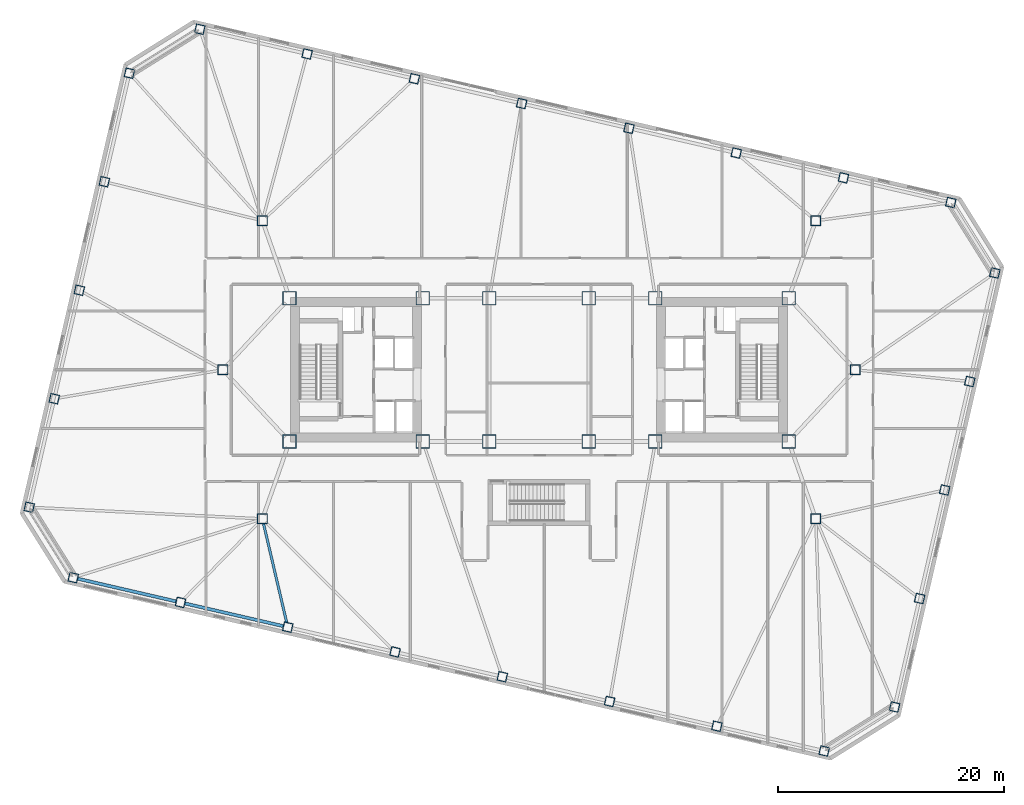
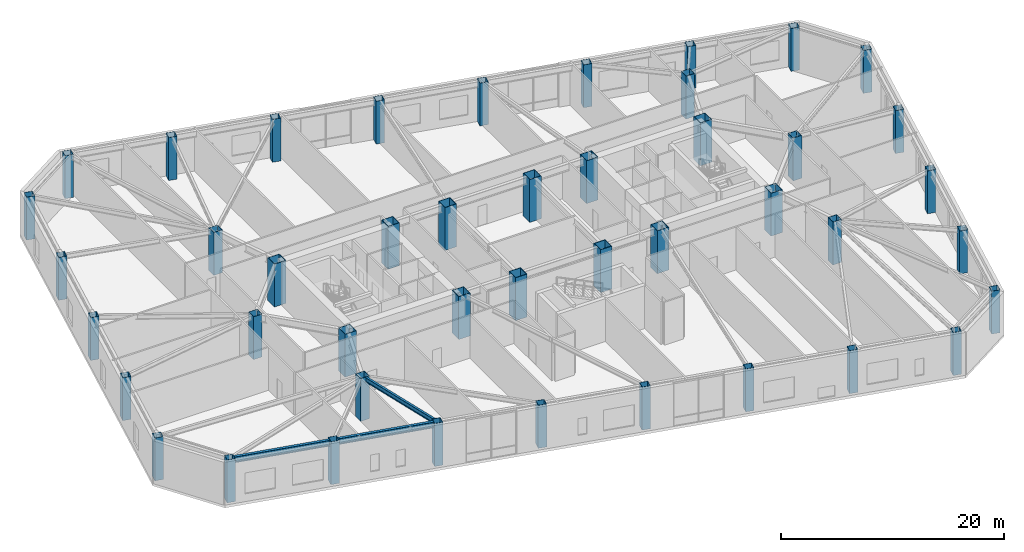
# One storey, part 1 of 20: 44 columns, 3 beams.
"""IFC4 building model written with IfcOpenShell, lengths in metres."""

from ifc_helpers import new_model, si_unit, direction, frame, origin, origin_2d, place, context, subcontext, project, spatial, hollow_rectangle, i_section, extrude, material, material_profile, profile_set, type_object, element, save


model = new_model("IFC4")

# Units and contexts
model_context = context("Model", 3, precision=1e-05, world=origin(), true_north=direction((0.0, 1.0)))
body_context = subcontext(model_context, "Body", "Model", "MODEL_VIEW")
ifc_project = project(units=[si_unit("LENGTHUNIT", "METRE"), si_unit("AREAUNIT", "SQUARE_METRE"), si_unit("VOLUMEUNIT", "CUBIC_METRE"), si_unit("PLANEANGLEUNIT", "RADIAN"), si_unit("MASSUNIT", "GRAM", prefix="KILO")], contexts=[model_context])

# Site, building, storey
site_placement = place(None, origin())
site = spatial("IfcSite", under=ifc_project, at=site_placement, CompositionType="ELEMENT")
building_placement = place(site_placement, origin())
building = spatial("IfcBuilding", under=site, at=building_placement, Name="Tavrogorsk Clinical Tower", CompositionType="ELEMENT")
storey_placement = place(building_placement, frame((0.0, 0.0, 23.39990234375)))
storey = spatial("IfcBuildingStorey", under=building, at=storey_placement, Name="L04", CompositionType="ELEMENT", Elevation=23.39990234375)

# Columns
ifc_material_1 = material(Name="Structural steel S440", Category="steel")
ifc_material_profile_1 = material_profile(ifc_material_1, hollow_rectangle(XDim=1.199951171875, YDim=1.199951171875, WallThickness=0.050048828125, at=origin_2d()), Name="BOX-1200x1200x50")
ifc_profile_set_1 = profile_set([ifc_material_profile_1], Name="Structural steel S440")
column_type_1 = type_object("IfcColumnType", Name="MegaCol_BOX1200", PredefinedType="COLUMN", material=ifc_profile_set_1)
for number, where, z_axis, x_axis, name in (
    (1, (-22.10009765625, -6.35009765625, 0.0), (0.0, 0.0, 1.0), (1.0, 0.0, 0.0), "L04 Mega Column MC-W1"),
    (2, (-22.10009765625, 6.35009765625, 0.0), (0.0, 0.0, 1.0), (1.0, 0.0, 0.0), "L04 Mega Column MC-W2"),
    (3, (-10.300048828125, -6.35009765625, 0.0), (0.0, 0.0, 1.0), (1.0, 0.0, 0.0), "L04 Mega Column MC-W3"),
    (4, (-10.300048828125, 6.35009765625, 0.0), (0.0, 0.0, 1.0), (1.0, 0.0, 0.0), "L04 Mega Column MC-W4"),
    (5, (10.300048828125, -6.35009765625, 0.0), (0.0, 0.0, 1.0), (1.0, 0.0, 0.0), "L04 Mega Column MC-E1"),
    (6, (10.300048828125, 6.35009765625, 0.0), (0.0, 0.0, 1.0), (1.0, 0.0, 0.0), "L04 Mega Column MC-E2"),
    (7, (22.10009765625, -6.35009765625, 0.0), (0.0, 0.0, 1.0), (1.0, 0.0, 0.0), "L04 Mega Column MC-E3"),
    (8, (22.10009765625, 6.35009765625, 0.0), (0.0, 0.0, 1.0), (1.0, 0.0, 0.0), "L04 Mega Column MC-E4"),
    (9, (-4.39990234375, -6.35009765625, 0.0), (0.0, 0.0, 1.0), (1.0, 0.0, 0.0), "L04 Mega Column MC-C1"),
    (10, (4.39990234375, -6.35009765625, 0.0), (0.0, 0.0, 1.0), (1.0, 0.0, 0.0), "L04 Mega Column MC-C2"),
    (11, (-4.39990234375, 6.35009765625, 0.0), (0.0, 0.0, 1.0), (1.0, 0.0, 0.0), "L04 Mega Column MC-C3"),
    (12, (4.39990234375, 6.35009765625, 0.0), (0.0, 0.0, 1.0), (1.0, 0.0, 0.0), "L04 Mega Column MC-C4"),
):
    element("IfcColumn", number, at=place(storey_placement, frame(where, z_axis=z_axis, x_axis=x_axis)), inside=storey, type_object=column_type_1, Name=name, PredefinedType="COLUMN", context=body_context, shape_type="SweptSolid", body=[
        extrude(hollow_rectangle(XDim=1.199951171875, YDim=1.199951171875, WallThickness=0.050048828125, at=origin_2d()), origin(), (0.0, 0.0, 1.0), 4.7001953125),
    ])
ifc_material_2 = material(Name="Structural steel S440", Category="steel")
ifc_material_profile_2 = material_profile(ifc_material_2, hollow_rectangle(XDim=0.89990234375, YDim=0.89990234375, WallThickness=0.0400390625, at=origin_2d()), Name="BOX-900x900x40")
ifc_profile_set_2 = profile_set([ifc_material_profile_2], Name="Structural steel S440")
column_type_2 = type_object("IfcColumnType", Name="MegaCol_BOX900", PredefinedType="COLUMN", material=ifc_profile_set_2)
for number, where, z_axis, x_axis, name in (
    (13, (-24.5, -13.199951171875, 0.0), (0.0, 0.0, 1.0), (1.0, 0.0, 0.0), "L04 Spine Pilotis Column MC-P1"),
    (14, (24.5, -13.199951171875, 0.0), (0.0, 0.0, 1.0), (1.0, 0.0, 0.0), "L04 Spine Pilotis Column MC-P2"),
    (15, (-24.5, 13.199951171875, 0.0), (0.0, 0.0, 1.0), (1.0, 0.0, 0.0), "L04 Spine Pilotis Column MC-P3"),
    (16, (24.5, 13.199951171875, 0.0), (0.0, 0.0, 1.0), (1.0, 0.0, 0.0), "L04 Spine Pilotis Column MC-P4"),
    (17, (-28.0, 0.0, 0.0), (0.0, 0.0, 1.0), (1.0, 0.0, 0.0), "L04 Spine Pilotis Column MC-P5"),
    (18, (28.0, 0.0, 0.0), (0.0, 0.0, 1.0), (1.0, 0.0, 0.0), "L04 Spine Pilotis Column MC-P6"),
):
    element("IfcColumn", number, at=place(storey_placement, frame(where, z_axis=z_axis, x_axis=x_axis)), inside=storey, type_object=column_type_2, Name=name, PredefinedType="COLUMN", context=body_context, shape_type="SweptSolid", body=[
        extrude(hollow_rectangle(XDim=0.89990234375, YDim=0.89990234375, WallThickness=0.0400390625, at=origin_2d()), origin(), (0.0, 0.0, 1.0), 4.7001953125),
    ])
ifc_material_3 = material(Name="Structural steel S440", Category="steel")
ifc_material_profile_3 = material_profile(ifc_material_3, hollow_rectangle(XDim=0.800048828125, YDim=0.800048828125, WallThickness=0.035888671875, at=origin_2d()), Name="BOX-800x800x36")
ifc_profile_set_3 = profile_set([ifc_material_profile_3], Name="Structural steel S440")
column_type_3 = type_object("IfcColumnType", Name="PerimCol_B1_BOX800", PredefinedType="COLUMN", material=ifc_profile_set_3)
for number, where, z_axis, x_axis, name in (
    (19, (-41.251220703125, -18.406005859375, 0.0), (0.0, 0.0, 1.0), (0.974370064785, -0.224951054344, 0.0), "L04 Perimeter Column S1"),
    (20, (-31.75244140625, -20.598876953125, 0.0), (0.0, 0.0, 1.0), (0.974370064785, -0.224951054344, 0.0), "L04 Perimeter Column S2"),
    (21, (-22.25390625, -22.7919921875, 0.0), (0.0, 0.0, 1.0), (0.974370064785, -0.224951054344, 0.0), "L04 Perimeter Column S3"),
    (22, (-12.755126953125, -24.98486328125, 0.0), (0.0, 0.0, 1.0), (0.974370064785, -0.224951054344, 0.0), "L04 Perimeter Column S4"),
    (23, (-3.25634765625, -27.177734375, 0.0), (0.0, 0.0, 1.0), (0.974370064785, -0.224951054344, 0.0), "L04 Perimeter Column S5"),
    (24, (6.2421875, -29.37060546875, 0.0), (0.0, 0.0, 1.0), (0.974370064785, -0.224951054344, 0.0), "L04 Perimeter Column S6"),
    (25, (15.740966796875, -31.563720703125, 0.0), (0.0, 0.0, 1.0), (0.974370064785, -0.224951054344, 0.0), "L04 Perimeter Column S7"),
    (26, (25.23974609375, -33.756591796875, 0.0), (0.0, 0.0, 1.0), (0.974370064785, -0.224951054344, 0.0), "L04 Perimeter Column S8"),
    (27, (36.451416015625, 14.805908203125, 0.0), (0.0, 0.0, 1.0), (0.974370064785, -0.224951054344, 0.0), "L04 Perimeter Column N1"),
    (28, (26.952392578125, 16.998779296875, 0.0), (0.0, 0.0, 1.0), (0.974370064785, -0.224951054344, 0.0), "L04 Perimeter Column N2"),
    (29, (17.453857421875, 19.19189453125, 0.0), (0.0, 0.0, 1.0), (0.974370064785, -0.224951054344, 0.0), "L04 Perimeter Column N3"),
    (30, (7.955078125, 21.384765625, 0.0), (0.0, 0.0, 1.0), (0.974370064785, -0.224951054344, 0.0), "L04 Perimeter Column N4"),
    (31, (-1.543701171875, 23.577880859375, 0.0), (0.0, 0.0, 1.0), (0.974370064785, -0.224951054344, 0.0), "L04 Perimeter Column N5"),
    (32, (-11.042236328125, 25.770751953125, 0.0), (0.0, 0.0, 1.0), (0.974370064785, -0.224951054344, 0.0), "L04 Perimeter Column N6"),
    (33, (-20.541015625, 27.963623046875, 0.0), (0.0, 0.0, 1.0), (0.974370064785, -0.224951054344, 0.0), "L04 Perimeter Column N7"),
    (34, (-30.039794921875, 30.156494140625, 0.0), (0.0, 0.0, 1.0), (0.974370064785, -0.224951054344, 0.0), "L04 Perimeter Column N8"),
    (35, (31.476318359375, -29.859619140625, 0.0), (0.0, 0.0, 1.0), (0.974370064785, -0.224951054344, 0.0), "L04 Perimeter Column E1"),
    (36, (33.694091796875, -20.25244140625, 0.0), (0.0, 0.0, 1.0), (0.974370064785, -0.224951054344, 0.0), "L04 Perimeter Column E2"),
    (37, (35.912109375, -10.64501953125, 0.0), (0.0, 0.0, 1.0), (0.974370064785, -0.224951054344, 0.0), "L04 Perimeter Column E3"),
    (38, (38.130126953125, -1.037841796875, 0.0), (0.0, 0.0, 1.0), (0.974370064785, -0.224951054344, 0.0), "L04 Perimeter Column E4"),
    (39, (40.348388671875, 8.569580078125, 0.0), (0.0, 0.0, 1.0), (0.974370064785, -0.224951054344, 0.0), "L04 Perimeter Column E5"),
    (40, (-36.276123046875, 26.259765625, 0.0), (0.0, 0.0, 1.0), (0.974370064785, -0.224951054344, 0.0), "L04 Perimeter Column W1"),
    (41, (-38.494140625, 16.65234375, 0.0), (0.0, 0.0, 1.0), (0.974370064785, -0.224951054344, 0.0), "L04 Perimeter Column W2"),
    (42, (-40.712158203125, 7.045166015625, 0.0), (0.0, 0.0, 1.0), (0.974370064785, -0.224951054344, 0.0), "L04 Perimeter Column W3"),
    (43, (-42.93017578125, -2.562255859375, 0.0), (0.0, 0.0, 1.0), (0.974370064785, -0.224951054344, 0.0), "L04 Perimeter Column W4"),
    (44, (-45.148193359375, -12.16943359375, 0.0), (0.0, 0.0, 1.0), (0.974370064785, -0.224951054344, 0.0), "L04 Perimeter Column W5"),
):
    element("IfcColumn", number, at=place(storey_placement, frame(where, z_axis=z_axis, x_axis=x_axis)), inside=storey, type_object=column_type_3, Name=name, PredefinedType="COLUMN", context=body_context, shape_type="SweptSolid", body=[
        extrude(hollow_rectangle(XDim=0.800048828125, YDim=0.800048828125, WallThickness=0.035888671875, at=origin_2d()), origin(), (0.0, 0.0, 1.0), 4.7001953125),
    ])

# Beams
ifc_material_4 = material(Name="Structural steel S355", Category="steel")
ifc_material_profile_4 = material_profile(ifc_material_4, i_section(OverallWidth=0.219970703125, OverallDepth=0.5, WebThickness=0.012939453125, FlangeThickness=0.02001953125, at=origin_2d()), Name="B-500x220x13x20")
ifc_profile_set_4 = profile_set([ifc_material_profile_4], Name="Structural steel S355")
beam_type_1 = type_object("IfcBeamType", Name="FloorBeam_B500", PredefinedType="BEAM", material=ifc_profile_set_4)
beam_placement = place(storey_placement, frame((-24.406494140625, -13.59912109375, 4.4501953125), z_axis=(0.227996771429, -0.973661888038, 0.0), x_axis=(0.973661888038, 0.227996771429, 0.0)))
element("IfcBeam", 45, at=beam_placement, inside=storey, type_object=beam_type_1, Name="L04 Radial Floor Beam S3", PredefinedType="BEAM", context=body_context, shape_type="SweptSolid", body=[
    extrude(i_section(OverallWidth=0.219970703125, OverallDepth=0.5, WebThickness=0.012939453125, FlangeThickness=0.02001953125, at=origin_2d()), origin(), (0.0, 0.0, 1.0), 9.033447265625),
])
ifc_material_5 = material(Name="Structural steel S390", Category="steel")
ifc_material_profile_5 = material_profile(ifc_material_5, i_section(OverallWidth=0.280029296875, OverallDepth=0.64990234375, WebThickness=0.01611328125, FlangeThickness=0.02490234375, at=origin_2d()), Name="B-650x280x16x25")
ifc_profile_set_5 = profile_set([ifc_material_profile_5], Name="Structural steel S390")
beam_type_2 = type_object("IfcBeamType", Name="SpandrelBeam_B650", PredefinedType="SPANDREL", material=ifc_profile_set_5)
for number, where, z_axis, x_axis, name in (
    (46, (-40.853759765625, -18.497802734375, 4.375), (0.974372766602, -0.224939351168, 0.0), (0.224939351168, 0.974372766602, 0.0), "L04 Perimeter Spandrel S1-S2"),
    (47, (-31.35498046875, -20.690673828125, 4.375), (0.974366775889, -0.224965299645, 0.0), (0.224965299645, 0.974366775889, 0.0), "L04 Perimeter Spandrel S2-S3"),
):
    element("IfcBeam", number, at=place(storey_placement, frame(where, z_axis=z_axis, x_axis=x_axis)), inside=storey, type_object=beam_type_2, Name=name, PredefinedType="SPANDREL", context=body_context, shape_type="SweptSolid", body=[
        extrude(i_section(OverallWidth=0.280029296875, OverallDepth=0.64990234375, WebThickness=0.01611328125, FlangeThickness=0.02490234375, at=origin_2d()), origin(), (0.0, 0.0, 1.0), 8.9326171875),
    ])

save(model, "model.ifc")
